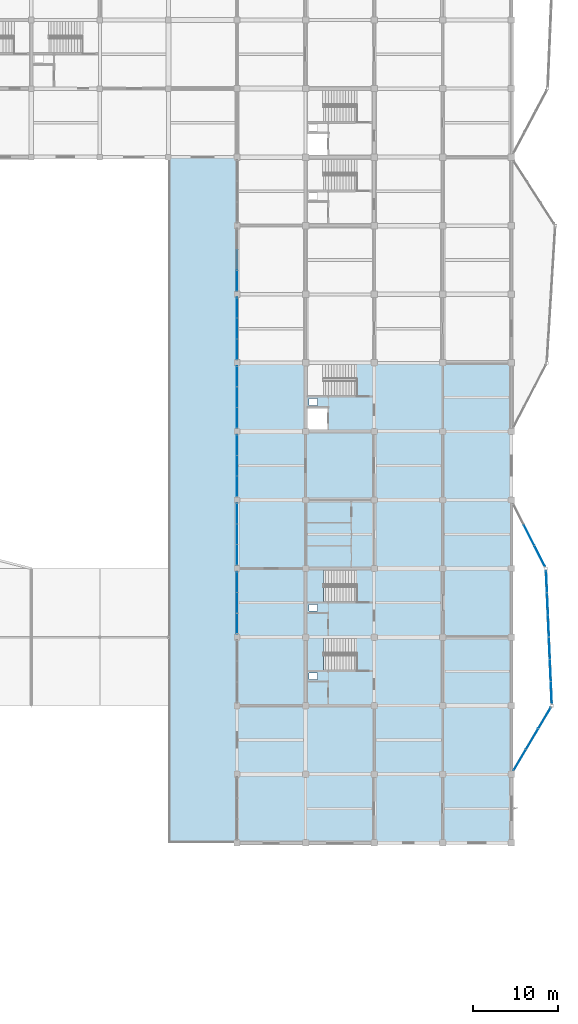
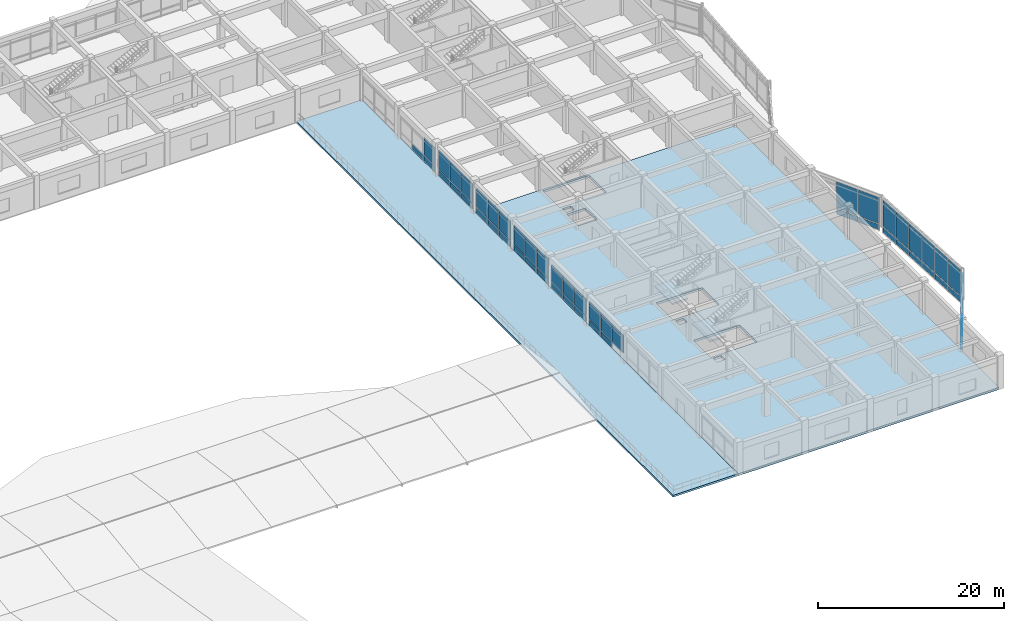
# One storey, part 41 of 70: 54 plates, 4 slabs, 12 elements without a shape of their own.
"""IFC4 building model written with IfcOpenShell, lengths in metres."""

from ifc_helpers import new_model, si_unit, direction, frame, origin, origin_2d, place, context, subcontext, project, spatial, polyline, rectangle, outline, extrude, material, layer, layer_set, type_object, element, aggregate, save


model = new_model("IFC4")

# Units and contexts
model_context = context("Model", 3, precision=1e-05, world=origin(), true_north=direction((0.0, 1.0)))
body_context = subcontext(model_context, "Body", "Model", "MODEL_VIEW")
ifc_project = project(units=[si_unit("LENGTHUNIT", "METRE"), si_unit("AREAUNIT", "SQUARE_METRE"), si_unit("VOLUMEUNIT", "CUBIC_METRE"), si_unit("PLANEANGLEUNIT", "RADIAN"), si_unit("MASSUNIT", "GRAM", prefix="KILO")], contexts=[model_context])

# Site, building, storey
site_placement = place(None, origin())
site = spatial("IfcSite", under=ifc_project, at=site_placement, CompositionType="ELEMENT")
building_placement = place(site_placement, origin())
building = spatial("IfcBuilding", under=site, at=building_placement, Name="Vaudrelin Polytechnic", CompositionType="ELEMENT")
storey_placement = place(building_placement, frame((0.0, 0.0, 14.110107421875)))
storey = spatial("IfcBuildingStorey", under=building, at=storey_placement, Name="L03", CompositionType="ELEMENT", Elevation=14.110107421875)

# Curtain wall, plates
ifc_material_1 = material(Name="Thermally broken anodised aluminium AA 6063-T6 and low-e triple glazing", Category="aluminium")
ifc_layer_1 = layer(ifc_material_1, 0.199951171875)
ifc_layer_set_1 = layer_set([ifc_layer_1], Name="Thermally broken anodised aluminium AA 6063-T6 and low-e triple glazing")
curtain_wall_type = type_object("IfcCurtainWallType", Name="CW-CW-LAB", PredefinedType="USERDEFINED", material=ifc_layer_set_1)
curtain_wall_1_placement = place(storey_placement, origin())
curtain_wall_1 = element("IfcCurtainWall", 1, at=curtain_wall_1_placement, inside=storey, type_object=curtain_wall_type, Name="Curtain wall L03 W_V4_03", ObjectType="CURTAIN WALL", PredefinedType="USERDEFINED")
ifc_material_2 = material(Name="Insulated ceramic-frit spandrel glass panel", Category="glass")
ifc_layer_2 = layer(ifc_material_2, 0.052001953125)
ifc_layer_set_2 = layer_set([ifc_layer_2], Name="Insulated ceramic-frit spandrel glass panel")
plate_type_1 = type_object("IfcPlateType", Name="PLT-GLZ-SPAND", PredefinedType="CURTAIN_PANEL", material=ifc_layer_set_2)
plate_1_placement = place(storey_placement, frame((137.699951171875, 44.550048828125, 0.08984375), z_axis=(0.0, 0.0, 1.0), x_axis=(0.0, 1.0, 0.0)))
plate_1 = element("IfcPlate", 2, at=plate_1_placement, type_object=plate_type_1, Name="W_V4_03 spandrel panel 2", PredefinedType="CURTAIN_PANEL", context=body_context, shape_type="SweptSolid", body=[
    extrude(rectangle(XDim=2.351318359375, YDim=0.052001953125, at=origin_2d()), origin(), (0.0, 0.0, 1.0), 0.699951171875),
])
plate_2_placement = place(storey_placement, frame((137.699951171875, 47.001220703125, 0.08984375), z_axis=(0.0, 0.0, 1.0), x_axis=(0.0, 1.0, 0.0)))
plate_2 = element("IfcPlate", 3, at=plate_2_placement, type_object=plate_type_1, Name="W_V4_03 spandrel panel 3", PredefinedType="CURTAIN_PANEL", context=body_context, shape_type="SweptSolid", body=[
    extrude(rectangle(XDim=2.351318359375, YDim=0.052001953125, at=origin_2d()), origin(), (0.0, 0.0, 1.0), 0.699951171875),
])

curtain_wall_2_placement = place(storey_placement, origin())
curtain_wall_2 = element("IfcCurtainWall", 4, at=curtain_wall_2_placement, inside=storey, type_object=curtain_wall_type, Name="Curtain wall L03 W_V4_04", ObjectType="CURTAIN WALL", PredefinedType="USERDEFINED")
plate_3_placement = place(storey_placement, frame((137.699951171875, 50.19873046875, 0.08984375), z_axis=(0.0, 0.0, 1.0), x_axis=(0.0, 1.0, 0.0)))
plate_3 = element("IfcPlate", 5, at=plate_3_placement, type_object=plate_type_1, Name="W_V4_04 spandrel panel 1", PredefinedType="CURTAIN_PANEL", context=body_context, shape_type="SweptSolid", body=[
    extrude(rectangle(XDim=2.351318359375, YDim=0.052001953125, at=origin_2d()), origin(), (0.0, 0.0, 1.0), 0.699951171875),
])
plate_4_placement = place(storey_placement, frame((137.699951171875, 52.64990234375, 0.08984375), z_axis=(0.0, 0.0, 1.0), x_axis=(0.0, 1.0, 0.0)))
plate_4 = element("IfcPlate", 6, at=plate_4_placement, type_object=plate_type_1, Name="W_V4_04 spandrel panel 2", PredefinedType="CURTAIN_PANEL", context=body_context, shape_type="SweptSolid", body=[
    extrude(rectangle(XDim=2.351318359375, YDim=0.052001953125, at=origin_2d()), origin(), (0.0, 0.0, 1.0), 0.699951171875),
])
plate_5_placement = place(storey_placement, frame((137.699951171875, 55.101318359375, 0.08984375), z_axis=(0.0, 0.0, 1.0), x_axis=(0.0, 1.0, 0.0)))
plate_5 = element("IfcPlate", 7, at=plate_5_placement, type_object=plate_type_1, Name="W_V4_04 spandrel panel 3", PredefinedType="CURTAIN_PANEL", context=body_context, shape_type="SweptSolid", body=[
    extrude(rectangle(XDim=2.351318359375, YDim=0.052001953125, at=origin_2d()), origin(), (0.0, 0.0, 1.0), 0.699951171875),
])

curtain_wall_3_placement = place(storey_placement, origin())
curtain_wall_3 = element("IfcCurtainWall", 8, at=curtain_wall_3_placement, inside=storey, type_object=curtain_wall_type, Name="Curtain wall L03 W_V4_05", ObjectType="CURTAIN WALL", PredefinedType="USERDEFINED")
plate_6_placement = place(storey_placement, frame((137.699951171875, 58.298583984375, 0.08984375), z_axis=(0.0, 0.0, 1.0), x_axis=(0.0, 1.0, 0.0)))
plate_6 = element("IfcPlate", 9, at=plate_6_placement, type_object=plate_type_1, Name="W_V4_05 spandrel panel 1", PredefinedType="CURTAIN_PANEL", context=body_context, shape_type="SweptSolid", body=[
    extrude(rectangle(XDim=2.351318359375, YDim=0.052001953125, at=origin_2d()), origin(), (0.0, 0.0, 1.0), 0.699951171875),
])
plate_7_placement = place(storey_placement, frame((137.699951171875, 60.75, 0.08984375), z_axis=(0.0, 0.0, 1.0), x_axis=(0.0, 1.0, 0.0)))
plate_7 = element("IfcPlate", 10, at=plate_7_placement, type_object=plate_type_1, Name="W_V4_05 spandrel panel 2", PredefinedType="CURTAIN_PANEL", context=body_context, shape_type="SweptSolid", body=[
    extrude(rectangle(XDim=2.351318359375, YDim=0.052001953125, at=origin_2d()), origin(), (0.0, 0.0, 1.0), 0.699951171875),
])
plate_8_placement = place(storey_placement, frame((137.699951171875, 63.201416015625, 0.08984375), z_axis=(0.0, 0.0, 1.0), x_axis=(0.0, 1.0, 0.0)))
plate_8 = element("IfcPlate", 11, at=plate_8_placement, type_object=plate_type_1, Name="W_V4_05 spandrel panel 3", PredefinedType="CURTAIN_PANEL", context=body_context, shape_type="SweptSolid", body=[
    extrude(rectangle(XDim=2.351318359375, YDim=0.052001953125, at=origin_2d()), origin(), (0.0, 0.0, 1.0), 0.699951171875),
])

curtain_wall_4_placement = place(storey_placement, origin())
curtain_wall_4 = element("IfcCurtainWall", 12, at=curtain_wall_4_placement, inside=storey, type_object=curtain_wall_type, Name="Curtain wall L03 W_V4_06", ObjectType="CURTAIN WALL", PredefinedType="USERDEFINED")
plate_9_placement = place(storey_placement, frame((137.699951171875, 66.398681640625, 0.08984375), z_axis=(0.0, 0.0, 1.0), x_axis=(0.0, 1.0, 0.0)))
plate_9 = element("IfcPlate", 13, at=plate_9_placement, type_object=plate_type_1, Name="W_V4_06 spandrel panel 1", PredefinedType="CURTAIN_PANEL", context=body_context, shape_type="SweptSolid", body=[
    extrude(rectangle(XDim=2.351318359375, YDim=0.052001953125, at=origin_2d()), origin(), (0.0, 0.0, 1.0), 0.699951171875),
])
plate_10_placement = place(storey_placement, frame((137.699951171875, 68.85009765625, 0.08984375), z_axis=(0.0, 0.0, 1.0), x_axis=(0.0, 1.0, 0.0)))
plate_10 = element("IfcPlate", 14, at=plate_10_placement, type_object=plate_type_1, Name="W_V4_06 spandrel panel 2", PredefinedType="CURTAIN_PANEL", context=body_context, shape_type="SweptSolid", body=[
    extrude(rectangle(XDim=2.351318359375, YDim=0.052001953125, at=origin_2d()), origin(), (0.0, 0.0, 1.0), 0.699951171875),
])
plate_11_placement = place(storey_placement, frame((137.699951171875, 71.30126953125, 0.08984375), z_axis=(0.0, 0.0, 1.0), x_axis=(0.0, 1.0, 0.0)))
plate_11 = element("IfcPlate", 15, at=plate_11_placement, type_object=plate_type_1, Name="W_V4_06 spandrel panel 3", PredefinedType="CURTAIN_PANEL", context=body_context, shape_type="SweptSolid", body=[
    extrude(rectangle(XDim=2.351318359375, YDim=0.052001953125, at=origin_2d()), origin(), (0.0, 0.0, 1.0), 0.699951171875),
])

curtain_wall_5_placement = place(storey_placement, origin())
curtain_wall_5 = element("IfcCurtainWall", 16, at=curtain_wall_5_placement, inside=storey, type_object=curtain_wall_type, Name="Curtain wall L03 W_V4_07", ObjectType="CURTAIN WALL", PredefinedType="USERDEFINED")
plate_12_placement = place(storey_placement, frame((137.699951171875, 74.498779296875, 0.08984375), z_axis=(0.0, 0.0, 1.0), x_axis=(0.0, 1.0, 0.0)))
plate_12 = element("IfcPlate", 17, at=plate_12_placement, type_object=plate_type_1, Name="W_V4_07 spandrel panel 1", PredefinedType="CURTAIN_PANEL", context=body_context, shape_type="SweptSolid", body=[
    extrude(rectangle(XDim=2.351318359375, YDim=0.052001953125, at=origin_2d()), origin(), (0.0, 0.0, 1.0), 0.699951171875),
])
plate_13_placement = place(storey_placement, frame((137.699951171875, 76.949951171875, 0.08984375), z_axis=(0.0, 0.0, 1.0), x_axis=(0.0, 1.0, 0.0)))
plate_13 = element("IfcPlate", 18, at=plate_13_placement, type_object=plate_type_1, Name="W_V4_07 spandrel panel 2", PredefinedType="CURTAIN_PANEL", context=body_context, shape_type="SweptSolid", body=[
    extrude(rectangle(XDim=2.351318359375, YDim=0.052001953125, at=origin_2d()), origin(), (0.0, 0.0, 1.0), 0.699951171875),
])
plate_14_placement = place(storey_placement, frame((137.699951171875, 79.4013671875, 0.08984375), z_axis=(0.0, 0.0, 1.0), x_axis=(0.0, 1.0, 0.0)))
plate_14 = element("IfcPlate", 19, at=plate_14_placement, type_object=plate_type_1, Name="W_V4_07 spandrel panel 3", PredefinedType="CURTAIN_PANEL", context=body_context, shape_type="SweptSolid", body=[
    extrude(rectangle(XDim=2.351318359375, YDim=0.052001953125, at=origin_2d()), origin(), (0.0, 0.0, 1.0), 0.699951171875),
])

curtain_wall_6_placement = place(storey_placement, origin())
curtain_wall_6 = element("IfcCurtainWall", 20, at=curtain_wall_6_placement, inside=storey, type_object=curtain_wall_type, Name="Curtain wall L03 W_V4_08", ObjectType="CURTAIN WALL", PredefinedType="USERDEFINED")
plate_15_placement = place(storey_placement, frame((137.699951171875, 82.5986328125, 0.08984375), z_axis=(0.0, 0.0, 1.0), x_axis=(0.0, 1.0, 0.0)))
plate_15 = element("IfcPlate", 21, at=plate_15_placement, type_object=plate_type_1, Name="W_V4_08 spandrel panel 1", PredefinedType="CURTAIN_PANEL", context=body_context, shape_type="SweptSolid", body=[
    extrude(rectangle(XDim=2.351318359375, YDim=0.052001953125, at=origin_2d()), origin(), (0.0, 0.0, 1.0), 0.699951171875),
])
plate_16_placement = place(storey_placement, frame((137.699951171875, 85.050048828125, 0.08984375), z_axis=(0.0, 0.0, 1.0), x_axis=(0.0, 1.0, 0.0)))
plate_16 = element("IfcPlate", 22, at=plate_16_placement, type_object=plate_type_1, Name="W_V4_08 spandrel panel 2", PredefinedType="CURTAIN_PANEL", context=body_context, shape_type="SweptSolid", body=[
    extrude(rectangle(XDim=2.351318359375, YDim=0.052001953125, at=origin_2d()), origin(), (0.0, 0.0, 1.0), 0.699951171875),
])

curtain_wall_7_placement = place(storey_placement, origin())
curtain_wall_7 = element("IfcCurtainWall", 23, at=curtain_wall_7_placement, inside=storey, type_object=curtain_wall_type, Name="Curtain wall L03 E_OR1_1_0", ObjectType="CURTAIN WALL", PredefinedType="USERDEFINED")
plate_17_placement = place(storey_placement, frame((171.09912109375, 25.98583984375, -0.5400390625), z_axis=(0.0, 0.0, 1.0), x_axis=(0.509796356978, 0.860295108908, 0.0)))
plate_17 = element("IfcPlate", 24, at=plate_17_placement, type_object=plate_type_1, Name="E_OR1_1_0 spandrel panel 1", PredefinedType="CURTAIN_PANEL", context=body_context, shape_type="SweptSolid", body=[
    extrude(rectangle(XDim=2.77734375, YDim=0.052001953125, at=origin_2d()), origin(), (0.0, 0.0, 1.0), 0.699951171875),
])
plate_18_placement = place(storey_placement, frame((172.56591796875, 28.461181640625, -0.5400390625), z_axis=(0.0, 0.0, 1.0), x_axis=(0.509796356978, 0.860295108908, 0.0)))
plate_18 = element("IfcPlate", 25, at=plate_18_placement, type_object=plate_type_1, Name="E_OR1_1_0 spandrel panel 2", PredefinedType="CURTAIN_PANEL", context=body_context, shape_type="SweptSolid", body=[
    extrude(rectangle(XDim=2.77734375, YDim=0.052001953125, at=origin_2d()), origin(), (0.0, 0.0, 1.0), 0.699951171875),
])
plate_19_placement = place(storey_placement, frame((174.03271484375, 30.936767578125, -0.5400390625), z_axis=(0.0, 0.0, 1.0), x_axis=(0.509796356978, 0.860295108908, 0.0)))
plate_19 = element("IfcPlate", 26, at=plate_19_placement, type_object=plate_type_1, Name="E_OR1_1_0 spandrel panel 3", PredefinedType="CURTAIN_PANEL", context=body_context, shape_type="SweptSolid", body=[
    extrude(rectangle(XDim=2.77734375, YDim=0.052001953125, at=origin_2d()), origin(), (0.0, 0.0, 1.0), 0.699951171875),
])

curtain_wall_8_placement = place(storey_placement, origin())
curtain_wall_8 = element("IfcCurtainWall", 27, at=curtain_wall_8_placement, inside=storey, type_object=curtain_wall_type, Name="Curtain wall L03 E_OR1_2_0", ObjectType="CURTAIN WALL", PredefinedType="USERDEFINED")
plate_20_placement = place(storey_placement, frame((174.8330078125, 33.94775390625, -0.5400390625), z_axis=(0.0, 0.0, 1.0), x_axis=(-0.043164270821, 0.99906798854, 0.0)))
plate_20 = element("IfcPlate", 28, at=plate_20_placement, type_object=plate_type_1, Name="E_OR1_2_0 spandrel panel 1", PredefinedType="CURTAIN_PANEL", context=body_context, shape_type="SweptSolid", body=[
    extrude(rectangle(XDim=2.523193359375, YDim=0.052001953125, at=origin_2d()), origin(), (0.0, 0.0, 1.0), 0.699951171875),
])
plate_21_placement = place(storey_placement, frame((174.719970703125, 36.568603515625, -0.5400390625), z_axis=(0.0, 0.0, 1.0), x_axis=(-0.043164270821, 0.99906798854, 0.0)))
plate_21 = element("IfcPlate", 29, at=plate_21_placement, type_object=plate_type_1, Name="E_OR1_2_0 spandrel panel 2", PredefinedType="CURTAIN_PANEL", context=body_context, shape_type="SweptSolid", body=[
    extrude(rectangle(XDim=2.523193359375, YDim=0.052001953125, at=origin_2d()), origin(), (0.0, 0.0, 1.0), 0.699951171875),
])
plate_22_placement = place(storey_placement, frame((174.606689453125, 39.189697265625, -0.5400390625), z_axis=(0.0, 0.0, 1.0), x_axis=(-0.043164270821, 0.99906798854, 0.0)))
plate_22 = element("IfcPlate", 30, at=plate_22_placement, type_object=plate_type_1, Name="E_OR1_2_0 spandrel panel 3", PredefinedType="CURTAIN_PANEL", context=body_context, shape_type="SweptSolid", body=[
    extrude(rectangle(XDim=2.523193359375, YDim=0.052001953125, at=origin_2d()), origin(), (0.0, 0.0, 1.0), 0.699951171875),
])

curtain_wall_9_placement = place(storey_placement, origin())
curtain_wall_9 = element("IfcCurtainWall", 31, at=curtain_wall_9_placement, inside=storey, type_object=curtain_wall_type, Name="Curtain wall L03 E_OR1_2_1", ObjectType="CURTAIN WALL", PredefinedType="USERDEFINED")
plate_23_placement = place(storey_placement, frame((174.493408203125, 41.810302734375, -0.5400390625), z_axis=(0.0, 0.0, 1.0), x_axis=(-0.043164270821, 0.99906798854, 0.0)))
plate_23 = element("IfcPlate", 32, at=plate_23_placement, type_object=plate_type_1, Name="E_OR1_2_1 spandrel panel 1", PredefinedType="CURTAIN_PANEL", context=body_context, shape_type="SweptSolid", body=[
    extrude(rectangle(XDim=2.523193359375, YDim=0.052001953125, at=origin_2d()), origin(), (0.0, 0.0, 1.0), 0.699951171875),
])
plate_24_placement = place(storey_placement, frame((174.380126953125, 44.431396484375, -0.5400390625), z_axis=(0.0, 0.0, 1.0), x_axis=(-0.043164270821, 0.99906798854, 0.0)))
plate_24 = element("IfcPlate", 33, at=plate_24_placement, type_object=plate_type_1, Name="E_OR1_2_1 spandrel panel 2", PredefinedType="CURTAIN_PANEL", context=body_context, shape_type="SweptSolid", body=[
    extrude(rectangle(XDim=2.523193359375, YDim=0.052001953125, at=origin_2d()), origin(), (0.0, 0.0, 1.0), 0.699951171875),
])
plate_25_placement = place(storey_placement, frame((174.266845703125, 47.05224609375, -0.5400390625), z_axis=(0.0, 0.0, 1.0), x_axis=(-0.043164270821, 0.99906798854, 0.0)))
plate_25 = element("IfcPlate", 34, at=plate_25_placement, type_object=plate_type_1, Name="E_OR1_2_1 spandrel panel 3", PredefinedType="CURTAIN_PANEL", context=body_context, shape_type="SweptSolid", body=[
    extrude(rectangle(XDim=2.523193359375, YDim=0.052001953125, at=origin_2d()), origin(), (0.0, 0.0, 1.0), 0.699951171875),
])

curtain_wall_10_placement = place(storey_placement, origin())
curtain_wall_10 = element("IfcCurtainWall", 35, at=curtain_wall_10_placement, inside=storey, type_object=curtain_wall_type, Name="Curtain wall L03 E_OR1_3_0", ObjectType="CURTAIN WALL", PredefinedType="USERDEFINED")
plate_26_placement = place(storey_placement, frame((173.45849609375, 50.065185546875, -0.5400390625), z_axis=(0.0, 0.0, 1.0), x_axis=(-0.451608607789, 0.892216153951, 0.0)))
plate_26 = element("IfcPlate", 36, at=plate_26_placement, type_object=plate_type_1, Name="E_OR1_3_0 spandrel panel 1", PredefinedType="CURTAIN_PANEL", context=body_context, shape_type="SweptSolid", body=[
    extrude(rectangle(XDim=2.672607421875, YDim=0.052001953125, at=origin_2d()), origin(), (0.0, 0.0, 1.0), 0.699951171875),
])
plate_27_placement = place(storey_placement, frame((172.206298828125, 52.538818359375, -0.5400390625), z_axis=(0.0, 0.0, 1.0), x_axis=(-0.451608607789, 0.892216153951, 0.0)))
plate_27 = element("IfcPlate", 37, at=plate_27_placement, type_object=plate_type_1, Name="E_OR1_3_0 spandrel panel 2", PredefinedType="CURTAIN_PANEL", context=body_context, shape_type="SweptSolid", body=[
    extrude(rectangle(XDim=2.672607421875, YDim=0.052001953125, at=origin_2d()), origin(), (0.0, 0.0, 1.0), 0.699951171875),
])

# Plate
ifc_material_3 = material(Name="Triple low-e argon insulated glazing unit", Category="glass")
ifc_layer_3 = layer(ifc_material_3, 0.0439453125)
ifc_layer_set_3 = layer_set([ifc_layer_3], Name="Triple low-e argon insulated glazing unit")
plate_type_2 = type_object("IfcPlateType", Name="PLT-GLZ-TRIPLE", PredefinedType="CURTAIN_PANEL", material=ifc_layer_set_3)
plate_28_placement = place(storey_placement, frame((137.699951171875, 42.0986328125, 0.89990234375), z_axis=(0.0, 0.0, 1.0), x_axis=(0.0, 1.0, 0.0)))
plate_28 = element("IfcPlate", 38, at=plate_28_placement, type_object=plate_type_2, Name="W_V4_03 vision panel 1", PredefinedType="CURTAIN_PANEL", context=body_context, shape_type="SweptSolid", body=[
    extrude(rectangle(XDim=2.351318359375, YDim=0.0439453125, at=origin_2d()), origin(), (0.0, 0.0, 1.0), 2.31201171875),
])

plate_29_placement = place(storey_placement, frame((137.699951171875, 44.550048828125, 0.89990234375), z_axis=(0.0, 0.0, 1.0), x_axis=(0.0, 1.0, 0.0)))
plate_29 = element("IfcPlate", 39, at=plate_29_placement, type_object=plate_type_2, Name="W_V4_03 vision panel 2", PredefinedType="CURTAIN_PANEL", context=body_context, shape_type="SweptSolid", body=[
    extrude(rectangle(XDim=2.351318359375, YDim=0.0439453125, at=origin_2d()), origin(), (0.0, 0.0, 1.0), 2.31201171875),
])

plate_30_placement = place(storey_placement, frame((137.699951171875, 47.001220703125, 0.89990234375), z_axis=(0.0, 0.0, 1.0), x_axis=(0.0, 1.0, 0.0)))
plate_30 = element("IfcPlate", 40, at=plate_30_placement, type_object=plate_type_2, Name="W_V4_03 vision panel 3", PredefinedType="CURTAIN_PANEL", context=body_context, shape_type="SweptSolid", body=[
    extrude(rectangle(XDim=2.351318359375, YDim=0.0439453125, at=origin_2d()), origin(), (0.0, 0.0, 1.0), 2.31201171875),
])

aggregate(curtain_wall_1, [plate_28, plate_1, plate_29, plate_2, plate_30])

plate_31_placement = place(storey_placement, frame((137.699951171875, 50.19873046875, 0.89990234375), z_axis=(0.0, 0.0, 1.0), x_axis=(0.0, 1.0, 0.0)))
plate_31 = element("IfcPlate", 41, at=plate_31_placement, type_object=plate_type_2, Name="W_V4_04 vision panel 1", PredefinedType="CURTAIN_PANEL", context=body_context, shape_type="SweptSolid", body=[
    extrude(rectangle(XDim=2.351318359375, YDim=0.0439453125, at=origin_2d()), origin(), (0.0, 0.0, 1.0), 2.2119140625),
])

plate_32_placement = place(storey_placement, frame((137.699951171875, 52.64990234375, 0.89990234375), z_axis=(0.0, 0.0, 1.0), x_axis=(0.0, 1.0, 0.0)))
plate_32 = element("IfcPlate", 42, at=plate_32_placement, type_object=plate_type_2, Name="W_V4_04 vision panel 2", PredefinedType="CURTAIN_PANEL", context=body_context, shape_type="SweptSolid", body=[
    extrude(rectangle(XDim=2.351318359375, YDim=0.0439453125, at=origin_2d()), origin(), (0.0, 0.0, 1.0), 2.2119140625),
])

plate_33_placement = place(storey_placement, frame((137.699951171875, 55.101318359375, 0.89990234375), z_axis=(0.0, 0.0, 1.0), x_axis=(0.0, 1.0, 0.0)))
plate_33 = element("IfcPlate", 43, at=plate_33_placement, type_object=plate_type_2, Name="W_V4_04 vision panel 3", PredefinedType="CURTAIN_PANEL", context=body_context, shape_type="SweptSolid", body=[
    extrude(rectangle(XDim=2.351318359375, YDim=0.0439453125, at=origin_2d()), origin(), (0.0, 0.0, 1.0), 2.2119140625),
])

aggregate(curtain_wall_2, [plate_3, plate_31, plate_4, plate_32, plate_5, plate_33])

plate_34_placement = place(storey_placement, frame((137.699951171875, 58.298583984375, 0.89990234375), z_axis=(0.0, 0.0, 1.0), x_axis=(0.0, 1.0, 0.0)))
plate_34 = element("IfcPlate", 44, at=plate_34_placement, type_object=plate_type_2, Name="W_V4_05 vision panel 1", PredefinedType="CURTAIN_PANEL", context=body_context, shape_type="SweptSolid", body=[
    extrude(rectangle(XDim=2.351318359375, YDim=0.0439453125, at=origin_2d()), origin(), (0.0, 0.0, 1.0), 2.511962890625),
])

plate_35_placement = place(storey_placement, frame((137.699951171875, 60.75, 0.89990234375), z_axis=(0.0, 0.0, 1.0), x_axis=(0.0, 1.0, 0.0)))
plate_35 = element("IfcPlate", 45, at=plate_35_placement, type_object=plate_type_2, Name="W_V4_05 vision panel 2", PredefinedType="CURTAIN_PANEL", context=body_context, shape_type="SweptSolid", body=[
    extrude(rectangle(XDim=2.351318359375, YDim=0.0439453125, at=origin_2d()), origin(), (0.0, 0.0, 1.0), 2.511962890625),
])

plate_36_placement = place(storey_placement, frame((137.699951171875, 63.201416015625, 0.89990234375), z_axis=(0.0, 0.0, 1.0), x_axis=(0.0, 1.0, 0.0)))
plate_36 = element("IfcPlate", 46, at=plate_36_placement, type_object=plate_type_2, Name="W_V4_05 vision panel 3", PredefinedType="CURTAIN_PANEL", context=body_context, shape_type="SweptSolid", body=[
    extrude(rectangle(XDim=2.351318359375, YDim=0.0439453125, at=origin_2d()), origin(), (0.0, 0.0, 1.0), 2.511962890625),
])

aggregate(curtain_wall_3, [plate_6, plate_34, plate_7, plate_35, plate_8, plate_36])

plate_37_placement = place(storey_placement, frame((137.699951171875, 66.398681640625, 0.89990234375), z_axis=(0.0, 0.0, 1.0), x_axis=(0.0, 1.0, 0.0)))
plate_37 = element("IfcPlate", 47, at=plate_37_placement, type_object=plate_type_2, Name="W_V4_06 vision panel 1", PredefinedType="CURTAIN_PANEL", context=body_context, shape_type="SweptSolid", body=[
    extrude(rectangle(XDim=2.351318359375, YDim=0.0439453125, at=origin_2d()), origin(), (0.0, 0.0, 1.0), 2.511962890625),
])

plate_38_placement = place(storey_placement, frame((137.699951171875, 68.85009765625, 0.89990234375), z_axis=(0.0, 0.0, 1.0), x_axis=(0.0, 1.0, 0.0)))
plate_38 = element("IfcPlate", 48, at=plate_38_placement, type_object=plate_type_2, Name="W_V4_06 vision panel 2", PredefinedType="CURTAIN_PANEL", context=body_context, shape_type="SweptSolid", body=[
    extrude(rectangle(XDim=2.351318359375, YDim=0.0439453125, at=origin_2d()), origin(), (0.0, 0.0, 1.0), 2.511962890625),
])

plate_39_placement = place(storey_placement, frame((137.699951171875, 71.30126953125, 0.89990234375), z_axis=(0.0, 0.0, 1.0), x_axis=(0.0, 1.0, 0.0)))
plate_39 = element("IfcPlate", 49, at=plate_39_placement, type_object=plate_type_2, Name="W_V4_06 vision panel 3", PredefinedType="CURTAIN_PANEL", context=body_context, shape_type="SweptSolid", body=[
    extrude(rectangle(XDim=2.351318359375, YDim=0.0439453125, at=origin_2d()), origin(), (0.0, 0.0, 1.0), 2.511962890625),
])

aggregate(curtain_wall_4, [plate_9, plate_37, plate_10, plate_38, plate_11, plate_39])

plate_40_placement = place(storey_placement, frame((137.699951171875, 74.498779296875, 0.89990234375), z_axis=(0.0, 0.0, 1.0), x_axis=(0.0, 1.0, 0.0)))
plate_40 = element("IfcPlate", 50, at=plate_40_placement, type_object=plate_type_2, Name="W_V4_07 vision panel 1", PredefinedType="CURTAIN_PANEL", context=body_context, shape_type="SweptSolid", body=[
    extrude(rectangle(XDim=2.351318359375, YDim=0.0439453125, at=origin_2d()), origin(), (0.0, 0.0, 1.0), 2.56201171875),
])

plate_41_placement = place(storey_placement, frame((137.699951171875, 76.949951171875, 0.89990234375), z_axis=(0.0, 0.0, 1.0), x_axis=(0.0, 1.0, 0.0)))
plate_41 = element("IfcPlate", 51, at=plate_41_placement, type_object=plate_type_2, Name="W_V4_07 vision panel 2", PredefinedType="CURTAIN_PANEL", context=body_context, shape_type="SweptSolid", body=[
    extrude(rectangle(XDim=2.351318359375, YDim=0.0439453125, at=origin_2d()), origin(), (0.0, 0.0, 1.0), 2.56201171875),
])

plate_42_placement = place(storey_placement, frame((137.699951171875, 79.4013671875, 0.89990234375), z_axis=(0.0, 0.0, 1.0), x_axis=(0.0, 1.0, 0.0)))
plate_42 = element("IfcPlate", 52, at=plate_42_placement, type_object=plate_type_2, Name="W_V4_07 vision panel 3", PredefinedType="CURTAIN_PANEL", context=body_context, shape_type="SweptSolid", body=[
    extrude(rectangle(XDim=2.351318359375, YDim=0.0439453125, at=origin_2d()), origin(), (0.0, 0.0, 1.0), 2.56201171875),
])

aggregate(curtain_wall_5, [plate_12, plate_40, plate_13, plate_41, plate_14, plate_42])

plate_43_placement = place(storey_placement, frame((137.699951171875, 82.5986328125, 0.89990234375), z_axis=(0.0, 0.0, 1.0), x_axis=(0.0, 1.0, 0.0)))
plate_43 = element("IfcPlate", 53, at=plate_43_placement, type_object=plate_type_2, Name="W_V4_08 vision panel 1", PredefinedType="CURTAIN_PANEL", context=body_context, shape_type="SweptSolid", body=[
    extrude(rectangle(XDim=2.351318359375, YDim=0.0439453125, at=origin_2d()), origin(), (0.0, 0.0, 1.0), 2.31201171875),
])

aggregate(curtain_wall_6, [plate_15, plate_43, plate_16])

plate_44_placement = place(storey_placement, frame((171.09912109375, 25.98583984375, 0.27001953125), z_axis=(0.0, 0.0, 1.0), x_axis=(0.509796356978, 0.860295108908, 0.0)))
plate_44 = element("IfcPlate", 54, at=plate_44_placement, type_object=plate_type_2, Name="E_OR1_1_0 vision panel 1", PredefinedType="CURTAIN_PANEL", context=body_context, shape_type="SweptSolid", body=[
    extrude(rectangle(XDim=2.77734375, YDim=0.0439453125, at=origin_2d()), origin(), (0.0, 0.0, 1.0), 3.43994140625),
])

plate_45_placement = place(storey_placement, frame((172.56591796875, 28.461181640625, 0.27001953125), z_axis=(0.0, 0.0, 1.0), x_axis=(0.509796356978, 0.860295108908, 0.0)))
plate_45 = element("IfcPlate", 55, at=plate_45_placement, type_object=plate_type_2, Name="E_OR1_1_0 vision panel 2", PredefinedType="CURTAIN_PANEL", context=body_context, shape_type="SweptSolid", body=[
    extrude(rectangle(XDim=2.77734375, YDim=0.0439453125, at=origin_2d()), origin(), (0.0, 0.0, 1.0), 3.43994140625),
])

plate_46_placement = place(storey_placement, frame((174.03271484375, 30.936767578125, 0.27001953125), z_axis=(0.0, 0.0, 1.0), x_axis=(0.509796356978, 0.860295108908, 0.0)))
plate_46 = element("IfcPlate", 56, at=plate_46_placement, type_object=plate_type_2, Name="E_OR1_1_0 vision panel 3", PredefinedType="CURTAIN_PANEL", context=body_context, shape_type="SweptSolid", body=[
    extrude(rectangle(XDim=2.77734375, YDim=0.0439453125, at=origin_2d()), origin(), (0.0, 0.0, 1.0), 3.43994140625),
])

aggregate(curtain_wall_7, [plate_17, plate_44, plate_18, plate_45, plate_19, plate_46])

plate_47_placement = place(storey_placement, frame((174.8330078125, 33.94775390625, 0.27001953125), z_axis=(0.0, 0.0, 1.0), x_axis=(-0.043164270821, 0.99906798854, 0.0)))
plate_47 = element("IfcPlate", 57, at=plate_47_placement, type_object=plate_type_2, Name="E_OR1_2_0 vision panel 1", PredefinedType="CURTAIN_PANEL", context=body_context, shape_type="SweptSolid", body=[
    extrude(rectangle(XDim=2.523193359375, YDim=0.0439453125, at=origin_2d()), origin(), (0.0, 0.0, 1.0), 3.43994140625),
])

plate_48_placement = place(storey_placement, frame((174.719970703125, 36.568603515625, 0.27001953125), z_axis=(0.0, 0.0, 1.0), x_axis=(-0.043164270821, 0.99906798854, 0.0)))
plate_48 = element("IfcPlate", 58, at=plate_48_placement, type_object=plate_type_2, Name="E_OR1_2_0 vision panel 2", PredefinedType="CURTAIN_PANEL", context=body_context, shape_type="SweptSolid", body=[
    extrude(rectangle(XDim=2.523193359375, YDim=0.0439453125, at=origin_2d()), origin(), (0.0, 0.0, 1.0), 3.43994140625),
])

plate_49_placement = place(storey_placement, frame((174.606689453125, 39.189697265625, 0.27001953125), z_axis=(0.0, 0.0, 1.0), x_axis=(-0.043164270821, 0.99906798854, 0.0)))
plate_49 = element("IfcPlate", 59, at=plate_49_placement, type_object=plate_type_2, Name="E_OR1_2_0 vision panel 3", PredefinedType="CURTAIN_PANEL", context=body_context, shape_type="SweptSolid", body=[
    extrude(rectangle(XDim=2.523193359375, YDim=0.0439453125, at=origin_2d()), origin(), (0.0, 0.0, 1.0), 3.43994140625),
])

aggregate(curtain_wall_8, [plate_20, plate_47, plate_21, plate_48, plate_22, plate_49])

plate_50_placement = place(storey_placement, frame((174.493408203125, 41.810302734375, 0.27001953125), z_axis=(0.0, 0.0, 1.0), x_axis=(-0.043164270821, 0.99906798854, 0.0)))
plate_50 = element("IfcPlate", 60, at=plate_50_placement, type_object=plate_type_2, Name="E_OR1_2_1 vision panel 1", PredefinedType="CURTAIN_PANEL", context=body_context, shape_type="SweptSolid", body=[
    extrude(rectangle(XDim=2.523193359375, YDim=0.0439453125, at=origin_2d()), origin(), (0.0, 0.0, 1.0), 3.43994140625),
])

plate_51_placement = place(storey_placement, frame((174.380126953125, 44.431396484375, 0.27001953125), z_axis=(0.0, 0.0, 1.0), x_axis=(-0.043164270821, 0.99906798854, 0.0)))
plate_51 = element("IfcPlate", 61, at=plate_51_placement, type_object=plate_type_2, Name="E_OR1_2_1 vision panel 2", PredefinedType="CURTAIN_PANEL", context=body_context, shape_type="SweptSolid", body=[
    extrude(rectangle(XDim=2.523193359375, YDim=0.0439453125, at=origin_2d()), origin(), (0.0, 0.0, 1.0), 3.43994140625),
])

plate_52_placement = place(storey_placement, frame((174.266845703125, 47.05224609375, 0.27001953125), z_axis=(0.0, 0.0, 1.0), x_axis=(-0.043164270821, 0.99906798854, 0.0)))
plate_52 = element("IfcPlate", 62, at=plate_52_placement, type_object=plate_type_2, Name="E_OR1_2_1 vision panel 3", PredefinedType="CURTAIN_PANEL", context=body_context, shape_type="SweptSolid", body=[
    extrude(rectangle(XDim=2.523193359375, YDim=0.0439453125, at=origin_2d()), origin(), (0.0, 0.0, 1.0), 3.43994140625),
])

aggregate(curtain_wall_9, [plate_23, plate_50, plate_24, plate_51, plate_25, plate_52])

plate_53_placement = place(storey_placement, frame((173.45849609375, 50.065185546875, 0.27001953125), z_axis=(0.0, 0.0, 1.0), x_axis=(-0.451608607789, 0.892216153951, 0.0)))
plate_53 = element("IfcPlate", 63, at=plate_53_placement, type_object=plate_type_2, Name="E_OR1_3_0 vision panel 1", PredefinedType="CURTAIN_PANEL", context=body_context, shape_type="SweptSolid", body=[
    extrude(rectangle(XDim=2.672607421875, YDim=0.0439453125, at=origin_2d()), origin(), (0.0, 0.0, 1.0), 3.43994140625),
])

plate_54_placement = place(storey_placement, frame((172.206298828125, 52.538818359375, 0.27001953125), z_axis=(0.0, 0.0, 1.0), x_axis=(-0.451608607789, 0.892216153951, 0.0)))
plate_54 = element("IfcPlate", 64, at=plate_54_placement, type_object=plate_type_2, Name="E_OR1_3_0 vision panel 2", PredefinedType="CURTAIN_PANEL", context=body_context, shape_type="SweptSolid", body=[
    extrude(rectangle(XDim=2.672607421875, YDim=0.0439453125, at=origin_2d()), origin(), (0.0, 0.0, 1.0), 3.43994140625),
])

aggregate(curtain_wall_10, [plate_26, plate_53, plate_27, plate_54])

# Stair, slab
ifc_material_4 = material(Name="Concrete 35 MPa", Category="concrete")
stair_type = type_object("IfcStairType", Name="STR-ST-CORE", PredefinedType="TWO_STRAIGHT_RUN_STAIR", material=ifc_material_4)
stair_1_placement = place(storey_placement, origin())
stair_1 = element("IfcStair", 65, at=stair_1_placement, inside=storey, type_object=stair_type, Name="Exit stair ST-08-L03", PredefinedType="TWO_STRAIGHT_RUN_STAIR")
ifc_layer_4 = layer(ifc_material_4, 0.219970703125)
ifc_layer_set_4 = layer_set([ifc_layer_4], Name="Concrete 35 MPa")
slab_type_1 = type_object("IfcSlabType", Name="SLB-LND220", PredefinedType="LANDING", material=ifc_layer_set_4)
slab_1_placement = place(storey_placement, frame((0.0, 0.0, 1.989990234375)))
slab_1 = element("IfcSlab", 66, at=slab_1_placement, type_object=slab_type_1, Name="ST-08-L03 landing 1", PredefinedType="LANDING", context=body_context, shape_type="SweptSolid", body=[
    extrude(outline(polyline([(145.93994140625, 36.56005859375), (147.909912109375, 36.56005859375), (147.909912109375, 40.39990234375), (145.93994140625, 40.39990234375), (145.93994140625, 36.56005859375)])), origin(), (0.0, 0.0, 1.0), 0.219970703125),
])
aggregate(stair_1, [slab_1])

stair_2_placement = place(storey_placement, origin())
stair_2 = element("IfcStair", 67, at=stair_2_placement, inside=storey, type_object=stair_type, Name="Exit stair ST-12-L03", PredefinedType="TWO_STRAIGHT_RUN_STAIR")
slab_2_placement = place(storey_placement, frame((0.0, 0.0, 1.989990234375)))
slab_2 = element("IfcSlab", 68, at=slab_2_placement, type_object=slab_type_1, Name="ST-12-L03 landing 1", PredefinedType="LANDING", context=body_context, shape_type="SweptSolid", body=[
    extrude(outline(polyline([(145.93994140625, 44.659912109375), (147.909912109375, 44.659912109375), (147.909912109375, 48.5), (145.93994140625, 48.5), (145.93994140625, 44.659912109375)])), origin(), (0.0, 0.0, 1.0), 0.219970703125),
])
aggregate(stair_2, [slab_2])

# Slabs
ifc_layer_5 = layer(ifc_material_4, 0.280029296875)
ifc_layer_set_5 = layer_set([ifc_layer_5], Name="Concrete 35 MPa")
slab_type_2 = type_object("IfcSlabType", Name="SLB-SL-F280", PredefinedType="FLOOR", material=ifc_layer_set_5)
slab_3_placement = place(storey_placement, frame((0.0, 0.0, -0.280029296875)))
element("IfcSlab", 69, at=slab_3_placement, inside=storey, type_object=slab_type_2, Name="L03 floor slab V4-S", PredefinedType="FLOOR", context=body_context, shape_type="SweptSolid", body=[
    extrude(outline(polyline([(137.699951171875, 16.199951171875), (170.10009765625, 16.199951171875), (170.10009765625, 72.89990234375), (137.699951171875, 72.89990234375), (137.699951171875, 16.199951171875)]), holes=[polyline([(146.050048828125, 69.010009765625), (151.800048828125, 69.010009765625), (151.800048828125, 72.64990234375), (146.050048828125, 72.64990234375), (146.050048828125, 69.010009765625)]), polyline([(146.050048828125, 65.050048828125), (148.3798828125, 65.050048828125), (148.3798828125, 67.530029296875), (146.050048828125, 67.530029296875), (146.050048828125, 65.050048828125)]), polyline([(146.179931640625, 67.8798828125), (147.179931640625, 67.8798828125), (147.179931640625, 68.679931640625), (146.179931640625, 68.679931640625), (146.179931640625, 67.8798828125)]), polyline([(146.050048828125, 36.610107421875), (151.800048828125, 36.610107421875), (151.800048828125, 40.25), (146.050048828125, 40.25), (146.050048828125, 36.610107421875)]), polyline([(146.179931640625, 35.47998046875), (147.179931640625, 35.47998046875), (147.179931640625, 36.280029296875), (146.179931640625, 36.280029296875), (146.179931640625, 35.47998046875)]), polyline([(146.050048828125, 44.7099609375), (151.800048828125, 44.7099609375), (151.800048828125, 48.35009765625), (146.050048828125, 48.35009765625), (146.050048828125, 44.7099609375)]), polyline([(146.179931640625, 43.580078125), (147.179931640625, 43.580078125), (147.179931640625, 44.3798828125), (146.179931640625, 44.3798828125), (146.179931640625, 43.580078125)])]), origin(), (0.0, 0.0, 1.0), 0.280029296875),
])
ifc_layer_6 = layer(ifc_material_4, 0.25)
ifc_layer_set_6 = layer_set([ifc_layer_6], Name="Concrete 35 MPa")
slab_type_3 = type_object("IfcSlabType", Name="SLB-SL-TER250", PredefinedType="FLOOR", material=ifc_layer_set_6)
slab_4_placement = place(storey_placement, frame((0.0, 0.0, -0.25)))
element("IfcSlab", 70, at=slab_4_placement, inside=storey, type_object=slab_type_3, Name="L03 courtyard setback terrace", PredefinedType="FLOOR", context=body_context, shape_type="SweptSolid", body=[
    extrude(outline(polyline([(129.60009765625, 16.199951171875), (137.699951171875, 16.199951171875), (137.699951171875, 97.199951171875), (129.60009765625, 97.199951171875), (129.60009765625, 16.199951171875)])), origin(), (0.0, 0.0, 1.0), 0.25),
])

save(model, "model.ifc")
